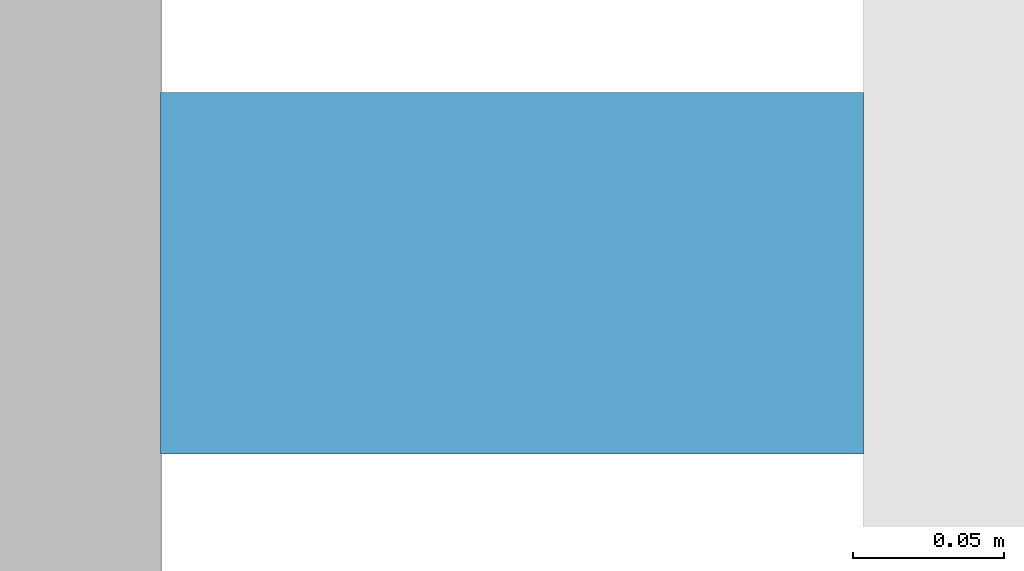
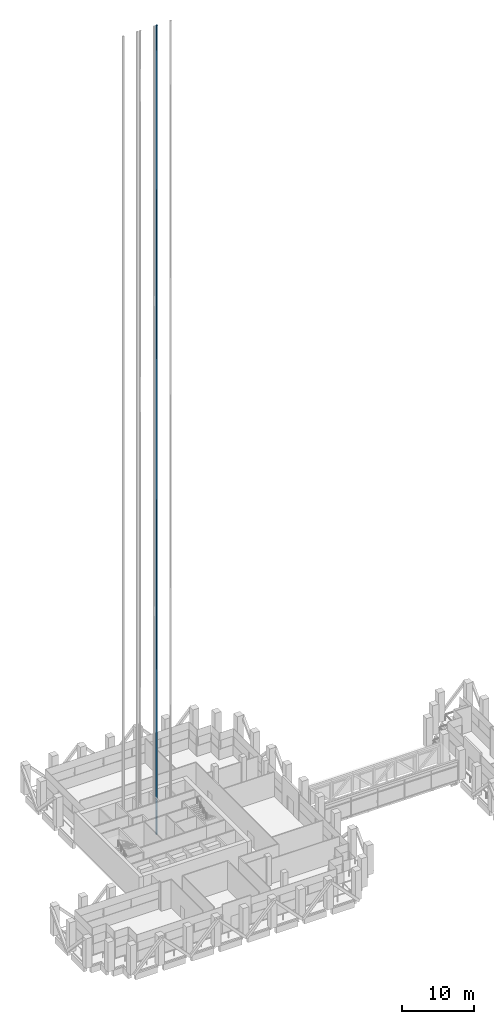
# One storey, part 42 of 48: 1 discrete accessory.
"""IFC4 building model written with IfcOpenShell, lengths in metres."""

from ifc_helpers import new_model, si_unit, direction, frame, origin, origin_2d, place, context, subcontext, project, spatial, rectangle, extrude, element, save


model = new_model("IFC4")

# Units and contexts
model_context = context("Model", 3, precision=1e-05, world=origin(), true_north=direction((0.0, 1.0)))
body_context = subcontext(model_context, "Body", "Model", "MODEL_VIEW")
ifc_project = project(units=[si_unit("LENGTHUNIT", "METRE"), si_unit("AREAUNIT", "SQUARE_METRE"), si_unit("VOLUMEUNIT", "CUBIC_METRE"), si_unit("PLANEANGLEUNIT", "RADIAN"), si_unit("MASSUNIT", "GRAM", prefix="KILO")], contexts=[model_context])

# Site, building, storey
site_placement = place(None, origin())
site = spatial("IfcSite", under=ifc_project, at=site_placement, CompositionType="ELEMENT")
building_placement = place(site_placement, origin())
building = spatial("IfcBuilding", under=site, at=building_placement, Name="Altepetl Exchange Towers", CompositionType="ELEMENT")
storey_placement = place(building_placement, frame((0.0, 0.0, 138.800048828125)))
storey = spatial("IfcBuildingStorey", under=building, at=storey_placement, Name="L34 Refuge and sky lobby", CompositionType="ELEMENT", Elevation=138.800048828125)

# Discrete accessory
discrete_accessory_placement = place(storey_placement, frame((52.38330078125, 56.199951171875, -1.60009765625)))
element("IfcDiscreteAccessory", 1, at=discrete_accessory_placement, inside=storey, Name="Guide rail P7", ObjectType="GUIDE RAIL", PredefinedType="USERDEFINED", context=body_context, shape_type="SweptSolid", body=[
    extrude(rectangle(XDim=0.2333984375, YDim=0.1201171875, at=origin_2d()), origin(), (0.0, 0.0, 1.0), 136.85009765625),
])

save(model, "model.ifc")
